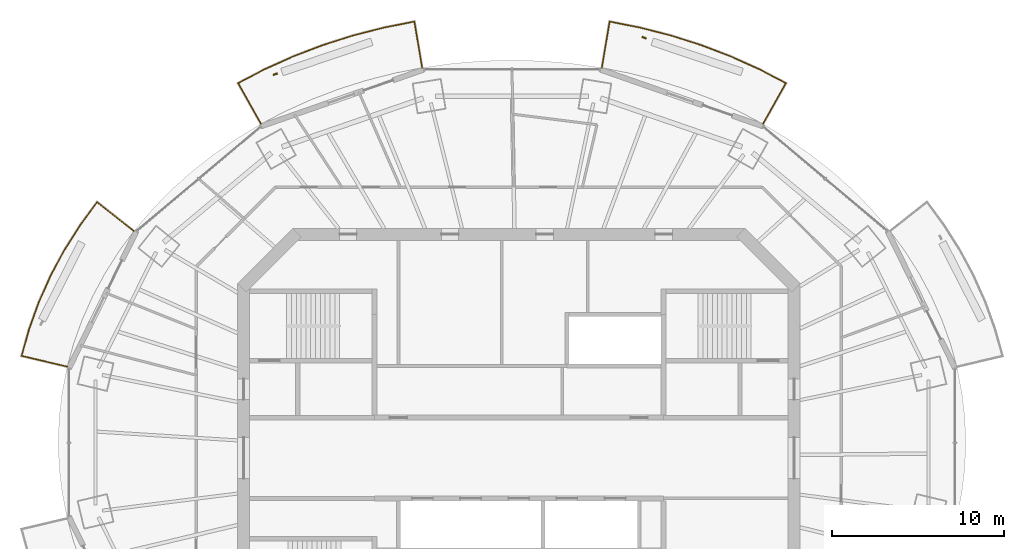
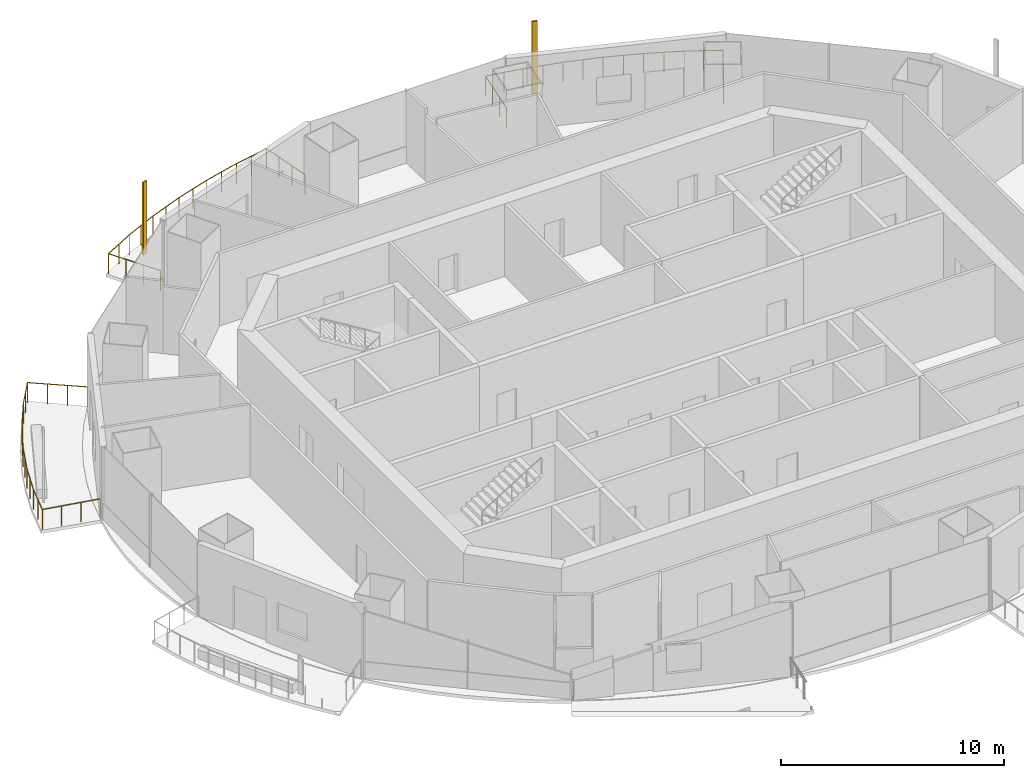
# One storey, part 14 of 16: 3 railings, 2 shading devices.
"""IFC4 building model written with IfcOpenShell, lengths in metres."""

from ifc_helpers import new_model, si_unit, direction, frame, origin, origin_2d, place, context, subcontext, project, spatial, rectangle, circle, extrude, material, material_profile, profile_set, type_object, element, save


model = new_model("IFC4")

# Units and contexts
model_context = context("Model", 3, precision=1e-05, world=origin(), true_north=direction((0.0, 1.0)))
body_context = subcontext(model_context, "Body", "Model", "MODEL_VIEW")
ifc_project = project(units=[si_unit("LENGTHUNIT", "METRE"), si_unit("AREAUNIT", "SQUARE_METRE"), si_unit("VOLUMEUNIT", "CUBIC_METRE"), si_unit("PLANEANGLEUNIT", "RADIAN"), si_unit("MASSUNIT", "GRAM", prefix="KILO")], contexts=[model_context])

# Site, building, storey
site_placement = place(None, origin())
site = spatial("IfcSite", under=ifc_project, at=site_placement, CompositionType="ELEMENT")
building_placement = place(site_placement, origin())
building = spatial("IfcBuilding", under=site, at=building_placement, Name="Marenthal Gate Tower", CompositionType="ELEMENT")
storey_placement = place(building_placement, frame((0.0, 0.0, 359.199951171875)))
storey = spatial("IfcBuildingStorey", under=building, at=storey_placement, Name="L81", CompositionType="ELEMENT", Elevation=359.199951171875)

# Railings
ifc_material_1 = material(Name="Stainless steel", Category="steel")
railing_type = type_object("IfcRailingType", Name="Balcony guard 1100", PredefinedType="GUARDRAIL", material=ifc_material_1)
railing_1_placement = place(storey_placement, frame((4.826416015625, 22.690673828125, 0.0)))
element("IfcRailing", 1, at=railing_1_placement, inside=storey, type_object=railing_type, Name="Balcony guard L81 bay 3", PredefinedType="GUARDRAIL", context=body_context, shape_type="SweptSolid", body=[
    extrude(circle(Radius=0.02392578125, at=origin_2d()), frame((0.0, 0.0, 1.076171875), z_axis=(0.165414456926, 0.986114290962, -0.01471946334), x_axis=(-0.986221135368, 0.165432379401, 0.0)), (0.0, 0.0, 1.0), 2.72021484375),
    extrude(circle(Radius=0.02392578125, at=origin_2d()), frame((0.449951171875, 2.682373046875, 1.0361328125), z_axis=(0.981009399429, -0.193960197546, 0.0), x_axis=(0.193960197546, 0.981009399429, 0.0)), (0.0, 0.0, 1.0), 1.7861328125),
    extrude(circle(Radius=0.02392578125, at=origin_2d()), frame((2.2021484375, 2.3359375, 1.0361328125), z_axis=(0.968846683281, -0.247661269269, 0.0), x_axis=(0.247661269269, 0.968846683281, 0.0)), (0.0, 0.0, 1.0), 1.859130859375),
    extrude(circle(Radius=0.02392578125, at=origin_2d()), frame((4.00341796875, 1.87548828125, 1.0361328125), z_axis=(0.953211172176, -0.30230524514, 0.0), x_axis=(0.30230524514, 0.953211172176, 0.0)), (0.0, 0.0, 1.0), 1.85107421875),
    extrude(circle(Radius=0.02392578125, at=origin_2d()), frame((5.767822265625, 1.31591796875, 1.0361328125), z_axis=(0.934231239104, -0.35666790139, 0.0), x_axis=(0.35666790139, 0.934231239104, 0.0)), (0.0, 0.0, 1.0), 1.84130859375),
    extrude(circle(Radius=0.02392578125, at=origin_2d()), frame((7.488037109375, 0.6591796875, 1.0361328125), z_axis=(0.911781695063, -0.410675225146, 0.0), x_axis=(0.410675225146, 0.911781695063, 0.0)), (0.0, 0.0, 1.0), 1.830322265625),
    extrude(circle(Radius=0.02392578125, at=origin_2d()), frame((9.156982421875, -0.092529296875, 1.0361328125), z_axis=(0.886366910687, -0.462983476637, 0.0), x_axis=(0.462983476637, 0.886366910687, 0.0)), (0.0, 0.0, 1.0), 1.738525390625),
    extrude(circle(Radius=0.02392578125, at=origin_2d()), frame((10.697998046875, -0.8974609375, 1.0361328125), z_axis=(-0.490915294113, -0.871082969774, 0.014718484138), x_axis=(0.871177338103, -0.490968477171, 0.0)), (0.0, 0.0, 1.0), 2.72021484375),
    extrude(circle(Radius=0.02099609375, at=origin_2d()), origin(), (0.0, 0.0, 1.0), 1.052001953125),
    extrude(circle(Radius=0.02099609375, at=origin_2d()), frame((0.14990234375, 0.89404296875, -0.013427734375)), (0.0, 0.0, 1.0), 1.052001953125),
    extrude(circle(Radius=0.02099609375, at=origin_2d()), frame((0.300048828125, 1.788330078125, -0.026611328125)), (0.0, 0.0, 1.0), 1.052001953125),
    extrude(circle(Radius=0.02099609375, at=origin_2d()), frame((0.449951171875, 2.682373046875, -0.0400390625)), (0.0, 0.0, 1.0), 1.052001953125),
    extrude(circle(Radius=0.02099609375, at=origin_2d()), frame((1.326171875, 2.50927734375, -0.0400390625)), (0.0, 0.0, 1.0), 1.052001953125),
    extrude(circle(Radius=0.02099609375, at=origin_2d()), frame((2.2021484375, 2.3359375, -0.0400390625)), (0.0, 0.0, 1.0), 1.052001953125),
    extrude(circle(Radius=0.02099609375, at=origin_2d()), frame((3.102783203125, 2.105712890625, -0.0400390625)), (0.0, 0.0, 1.0), 1.052001953125),
    extrude(circle(Radius=0.02099609375, at=origin_2d()), frame((4.00341796875, 1.87548828125, -0.0400390625)), (0.0, 0.0, 1.0), 1.052001953125),
    extrude(circle(Radius=0.02099609375, at=origin_2d()), frame((4.8857421875, 1.595703125, -0.0400390625)), (0.0, 0.0, 1.0), 1.052001953125),
    extrude(circle(Radius=0.02099609375, at=origin_2d()), frame((5.767822265625, 1.31591796875, -0.0400390625)), (0.0, 0.0, 1.0), 1.052001953125),
    extrude(circle(Radius=0.02099609375, at=origin_2d()), frame((6.6279296875, 0.987548828125, -0.0400390625)), (0.0, 0.0, 1.0), 1.052001953125),
    extrude(circle(Radius=0.02099609375, at=origin_2d()), frame((7.488037109375, 0.6591796875, -0.0400390625)), (0.0, 0.0, 1.0), 1.052001953125),
    extrude(circle(Radius=0.02099609375, at=origin_2d()), frame((8.322509765625, 0.283203125, -0.0400390625)), (0.0, 0.0, 1.0), 1.052001953125),
    extrude(circle(Radius=0.02099609375, at=origin_2d()), frame((9.156982421875, -0.092529296875, -0.0400390625)), (0.0, 0.0, 1.0), 1.052001953125),
    extrude(circle(Radius=0.02099609375, at=origin_2d()), frame((9.927490234375, -0.4951171875, -0.0400390625)), (0.0, 0.0, 1.0), 1.052001953125),
    extrude(circle(Radius=0.02099609375, at=origin_2d()), frame((10.697998046875, -0.8974609375, -0.0400390625)), (0.0, 0.0, 1.0), 1.052001953125),
    extrude(circle(Radius=0.02099609375, at=origin_2d()), frame((10.2529296875, -1.687255859375, -0.026611328125)), (0.0, 0.0, 1.0), 1.052001953125),
    extrude(circle(Radius=0.02099609375, at=origin_2d()), frame((9.8076171875, -2.477294921875, -0.013427734375)), (0.0, 0.0, 1.0), 1.052001953125),
    extrude(circle(Radius=0.02099609375, at=origin_2d()), frame((9.362548828125, -3.26708984375, 0.0)), (0.0, 0.0, 1.0), 1.052001953125),
])
railing_2_placement = place(storey_placement, frame((-14.989013671875, 19.423583984375, 0.0)))
element("IfcRailing", 2, at=railing_2_placement, inside=storey, type_object=railing_type, Name="Balcony guard L81 bay 5", PredefinedType="GUARDRAIL", context=body_context, shape_type="SweptSolid", body=[
    extrude(circle(Radius=0.02392578125, at=origin_2d()), frame((0.0, 0.0, 1.076171875), z_axis=(-0.490915294113, 0.871082969774, -0.014718484138), x_axis=(-0.871177338103, -0.490968477171, 0.0)), (0.0, 0.0, 1.0), 2.72021484375),
    extrude(circle(Radius=0.02392578125, at=origin_2d()), frame((-1.33544921875, 2.36962890625, 1.0361328125), z_axis=(0.886397005833, 0.462925855889, 0.0), x_axis=(-0.462925855889, 0.886397005833, 0.0)), (0.0, 0.0, 1.0), 1.73876953125),
    extrude(circle(Radius=0.02392578125, at=origin_2d()), frame((0.205810546875, 3.174560546875, 1.0361328125), z_axis=(0.911781695063, 0.410675225146, 0.0), x_axis=(-0.410675225146, 0.911781695063, 0.0)), (0.0, 0.0, 1.0), 1.830322265625),
    extrude(circle(Radius=0.02392578125, at=origin_2d()), frame((1.874755859375, 3.92626953125, 1.0361328125), z_axis=(0.934231239104, 0.35666790139, 0.0), x_axis=(-0.35666790139, 0.934231239104, 0.0)), (0.0, 0.0, 1.0), 1.84130859375),
    extrude(circle(Radius=0.02392578125, at=origin_2d()), frame((3.594970703125, 4.5830078125, 1.0361328125), z_axis=(0.953199116145, 0.302343256879, 0.0), x_axis=(-0.302343256879, 0.953199116145, 0.0)), (0.0, 0.0, 1.0), 1.850830078125),
    extrude(circle(Radius=0.02392578125, at=origin_2d()), frame((5.359130859375, 5.142578125, 1.0361328125), z_axis=(0.968854736133, 0.247629764514, 0.0), x_axis=(-0.247629764514, 0.968854736133, 0.0)), (0.0, 0.0, 1.0), 1.859375),
    extrude(circle(Radius=0.02392578125, at=origin_2d()), frame((7.16064453125, 5.60302734375, 1.0361328125), z_axis=(0.981004256117, 0.193986209508, 0.0), x_axis=(-0.193986209508, 0.981004256117, 0.0)), (0.0, 0.0, 1.0), 1.785888671875),
    extrude(circle(Radius=0.02392578125, at=origin_2d()), frame((8.91259765625, 5.949462890625, 1.0361328125), z_axis=(0.165414456926, -0.986114290962, 0.01471946334), x_axis=(0.986221135368, 0.165432379401, 0.0)), (0.0, 0.0, 1.0), 2.72021484375),
    extrude(circle(Radius=0.02099609375, at=origin_2d()), origin(), (0.0, 0.0, 1.0), 1.052001953125),
    extrude(circle(Radius=0.02099609375, at=origin_2d()), frame((-0.445068359375, 0.789794921875, -0.013427734375)), (0.0, 0.0, 1.0), 1.052001953125),
    extrude(circle(Radius=0.02099609375, at=origin_2d()), frame((-0.890380859375, 1.579833984375, -0.026611328125)), (0.0, 0.0, 1.0), 1.052001953125),
    extrude(circle(Radius=0.02099609375, at=origin_2d()), frame((-1.33544921875, 2.36962890625, -0.0400390625)), (0.0, 0.0, 1.0), 1.052001953125),
    extrude(circle(Radius=0.02099609375, at=origin_2d()), frame((-0.56494140625, 2.77197265625, -0.0400390625)), (0.0, 0.0, 1.0), 1.052001953125),
    extrude(circle(Radius=0.02099609375, at=origin_2d()), frame((0.205810546875, 3.174560546875, -0.0400390625)), (0.0, 0.0, 1.0), 1.052001953125),
    extrude(circle(Radius=0.02099609375, at=origin_2d()), frame((1.040283203125, 3.55029296875, -0.0400390625)), (0.0, 0.0, 1.0), 1.052001953125),
    extrude(circle(Radius=0.02099609375, at=origin_2d()), frame((1.874755859375, 3.92626953125, -0.0400390625)), (0.0, 0.0, 1.0), 1.052001953125),
    extrude(circle(Radius=0.02099609375, at=origin_2d()), frame((2.73486328125, 4.254638671875, -0.0400390625)), (0.0, 0.0, 1.0), 1.052001953125),
    extrude(circle(Radius=0.02099609375, at=origin_2d()), frame((3.594970703125, 4.5830078125, -0.0400390625)), (0.0, 0.0, 1.0), 1.052001953125),
    extrude(circle(Radius=0.02099609375, at=origin_2d()), frame((4.47705078125, 4.86279296875, -0.0400390625)), (0.0, 0.0, 1.0), 1.052001953125),
    extrude(circle(Radius=0.02099609375, at=origin_2d()), frame((5.359130859375, 5.142578125, -0.0400390625)), (0.0, 0.0, 1.0), 1.052001953125),
    extrude(circle(Radius=0.02099609375, at=origin_2d()), frame((6.259765625, 5.372802734375, -0.0400390625)), (0.0, 0.0, 1.0), 1.052001953125),
    extrude(circle(Radius=0.02099609375, at=origin_2d()), frame((7.16064453125, 5.60302734375, -0.0400390625)), (0.0, 0.0, 1.0), 1.052001953125),
    extrude(circle(Radius=0.02099609375, at=origin_2d()), frame((8.03662109375, 5.7763671875, -0.0400390625)), (0.0, 0.0, 1.0), 1.052001953125),
    extrude(circle(Radius=0.02099609375, at=origin_2d()), frame((8.91259765625, 5.949462890625, -0.0400390625)), (0.0, 0.0, 1.0), 1.052001953125),
    extrude(circle(Radius=0.02099609375, at=origin_2d()), frame((9.0625, 5.055419921875, -0.026611328125)), (0.0, 0.0, 1.0), 1.052001953125),
    extrude(circle(Radius=0.02099609375, at=origin_2d()), frame((9.212646484375, 4.1611328125, -0.013427734375)), (0.0, 0.0, 1.0), 1.052001953125),
    extrude(circle(Radius=0.02099609375, at=origin_2d()), frame((9.362548828125, 3.26708984375, 0.0)), (0.0, 0.0, 1.0), 1.052001953125),
])
railing_3_placement = place(storey_placement, frame((-26.259521484375, 5.31494140625, 0.0)))
element("IfcRailing", 3, at=railing_3_placement, inside=storey, type_object=railing_type, Name="Balcony guard L81 bay 7", PredefinedType="GUARDRAIL", context=body_context, shape_type="SweptSolid", body=[
    extrude(circle(Radius=0.02392578125, at=origin_2d()), frame((0.0, 0.0, 1.076171875), z_axis=(-0.973202156383, 0.229479704341, -0.014718291557), x_axis=(-0.229504564257, -0.973307584983, 0.0)), (0.0, 0.0, 1.0), 2.720458984375),
    extrude(circle(Radius=0.02392578125, at=origin_2d()), frame((-2.6474609375, 0.624267578125, 1.0361328125), z_axis=(0.268495452575, 0.96328095172, 0.0), x_axis=(-0.96328095172, 0.268495452575, 0.0)), (0.0, 0.0, 1.0), 1.5966796875),
    extrude(circle(Radius=0.02392578125, at=origin_2d()), frame((-2.21875, 2.162353515625, 1.0361328125), z_axis=(0.338632164542, 0.940918836637, 0.0), x_axis=(-0.940918836637, 0.338632164542, 0.0)), (0.0, 0.0, 1.0), 1.683349609375),
    extrude(circle(Radius=0.02392578125, at=origin_2d()), frame((-1.648681640625, 3.746337890625, 1.0361328125), z_axis=(0.407837712996, 0.913054434225, 0.0), x_axis=(-0.913054434225, 0.407837712996, 0.0)), (0.0, 0.0, 1.0), 1.6923828125),
    extrude(circle(Radius=0.02392578125, at=origin_2d()), frame((-0.95849609375, 5.29150390625, 1.0361328125), z_axis=(0.473586418161, 0.880747355678, 0.0), x_axis=(-0.880747355678, 0.473586418161, 0.0)), (0.0, 0.0, 1.0), 1.70166015625),
    extrude(circle(Radius=0.02392578125, at=origin_2d()), frame((-0.152587890625, 6.790283203125, 1.0361328125), z_axis=(0.535611442073, 0.844464554093, 0.0), x_axis=(-0.844464554093, 0.535611442073, 0.0)), (0.0, 0.0, 1.0), 1.712890625),
    extrude(circle(Radius=0.02392578125, at=origin_2d()), frame((0.764892578125, 8.23681640625, 1.0361328125), z_axis=(0.592398949291, 0.805644763453, 0.0), x_axis=(-0.805644763453, 0.592398949291, 0.0)), (0.0, 0.0, 1.0), 1.645263671875),
    extrude(circle(Radius=0.02392578125, at=origin_2d()), frame((1.739501953125, 9.562255859375, 1.0361328125), z_axis=(0.783769769253, -0.620877048402, 0.014718681113), x_axis=(0.6209443126, 0.783854680824, 0.0)), (0.0, 0.0, 1.0), 2.72021484375),
    extrude(circle(Radius=0.02099609375, at=origin_2d()), origin(), (0.0, 0.0, 1.0), 1.052001953125),
    extrude(circle(Radius=0.02099609375, at=origin_2d()), frame((-0.882568359375, 0.2080078125, -0.013427734375)), (0.0, 0.0, 1.0), 1.052001953125),
    extrude(circle(Radius=0.02099609375, at=origin_2d()), frame((-1.764892578125, 0.416259765625, -0.026611328125)), (0.0, 0.0, 1.0), 1.052001953125),
    extrude(circle(Radius=0.02099609375, at=origin_2d()), frame((-2.6474609375, 0.624267578125, -0.0400390625)), (0.0, 0.0, 1.0), 1.052001953125),
    extrude(circle(Radius=0.02099609375, at=origin_2d()), frame((-2.43310546875, 1.393310546875, -0.0400390625)), (0.0, 0.0, 1.0), 1.052001953125),
    extrude(circle(Radius=0.02099609375, at=origin_2d()), frame((-2.21875, 2.162353515625, -0.0400390625)), (0.0, 0.0, 1.0), 1.052001953125),
    extrude(circle(Radius=0.02099609375, at=origin_2d()), frame((-1.93359375, 2.954345703125, -0.0400390625)), (0.0, 0.0, 1.0), 1.052001953125),
    extrude(circle(Radius=0.02099609375, at=origin_2d()), frame((-1.648681640625, 3.746337890625, -0.0400390625)), (0.0, 0.0, 1.0), 1.052001953125),
    extrude(circle(Radius=0.02099609375, at=origin_2d()), frame((-1.3037109375, 4.51904296875, -0.0400390625)), (0.0, 0.0, 1.0), 1.052001953125),
    extrude(circle(Radius=0.02099609375, at=origin_2d()), frame((-0.95849609375, 5.29150390625, -0.0400390625)), (0.0, 0.0, 1.0), 1.052001953125),
    extrude(circle(Radius=0.02099609375, at=origin_2d()), frame((-0.5556640625, 6.041015625, -0.0400390625)), (0.0, 0.0, 1.0), 1.052001953125),
    extrude(circle(Radius=0.02099609375, at=origin_2d()), frame((-0.152587890625, 6.790283203125, -0.0400390625)), (0.0, 0.0, 1.0), 1.052001953125),
    extrude(circle(Radius=0.02099609375, at=origin_2d()), frame((0.30615234375, 7.513671875, -0.0400390625)), (0.0, 0.0, 1.0), 1.052001953125),
    extrude(circle(Radius=0.02099609375, at=origin_2d()), frame((0.764892578125, 8.23681640625, -0.0400390625)), (0.0, 0.0, 1.0), 1.052001953125),
    extrude(circle(Radius=0.02099609375, at=origin_2d()), frame((1.252197265625, 8.8994140625, -0.0400390625)), (0.0, 0.0, 1.0), 1.052001953125),
    extrude(circle(Radius=0.02099609375, at=origin_2d()), frame((1.739501953125, 9.562255859375, -0.0400390625)), (0.0, 0.0, 1.0), 1.052001953125),
    extrude(circle(Radius=0.02099609375, at=origin_2d()), frame((2.4501953125, 8.999267578125, -0.026611328125)), (0.0, 0.0, 1.0), 1.052001953125),
    extrude(circle(Radius=0.02099609375, at=origin_2d()), frame((3.160888671875, 8.436279296875, -0.013427734375)), (0.0, 0.0, 1.0), 1.052001953125),
    extrude(circle(Radius=0.02099609375, at=origin_2d()), frame((3.87158203125, 7.873291015625, 0.0)), (0.0, 0.0, 1.0), 1.052001953125),
])

# Shading devices
ifc_material_2 = material(Name="Terracotta", Category="masonry")
ifc_material_profile = material_profile(ifc_material_2, rectangle(XDim=0.25, YDim=0.080078125, at=origin_2d()), Name="Terracotta baguette 250x80")
ifc_profile_set = profile_set([ifc_material_profile], Name="Terracotta")
shading_device_type = type_object("IfcShadingDeviceType", Name="Terracotta BAGUETTE SCREEN 250x80", PredefinedType="USERDEFINED", material=ifc_profile_set)
for number, where, z_axis, x_axis, name in (
    (4, (7.281982421875, 24.437255859375, -0.0400390625), (0.0, 0.0, 1.0), (-0.944118156364, 0.329607200807, 0.0), "Terracotta BAGUETTE L81 bay 3R"),
    (5, (-14.161865234375, 22.314697265625, -0.0400390625), (0.0, 0.0, 1.0), (-0.944118156364, -0.329607200807, 0.0), "Terracotta BAGUETTE L81 bay 5R"),
):
    element("IfcShadingDevice", number, at=place(storey_placement, frame(where, z_axis=z_axis, x_axis=x_axis)), inside=storey, type_object=shading_device_type, Name=name, ObjectType="BAGUETTE SCREEN", PredefinedType="USERDEFINED", context=body_context, shape_type="SweptSolid", body=[
        extrude(rectangle(XDim=0.25, YDim=0.080078125, at=origin_2d()), origin(), (0.0, 0.0, 1.0), 3.969970703125),
    ])

save(model, "model.ifc")
